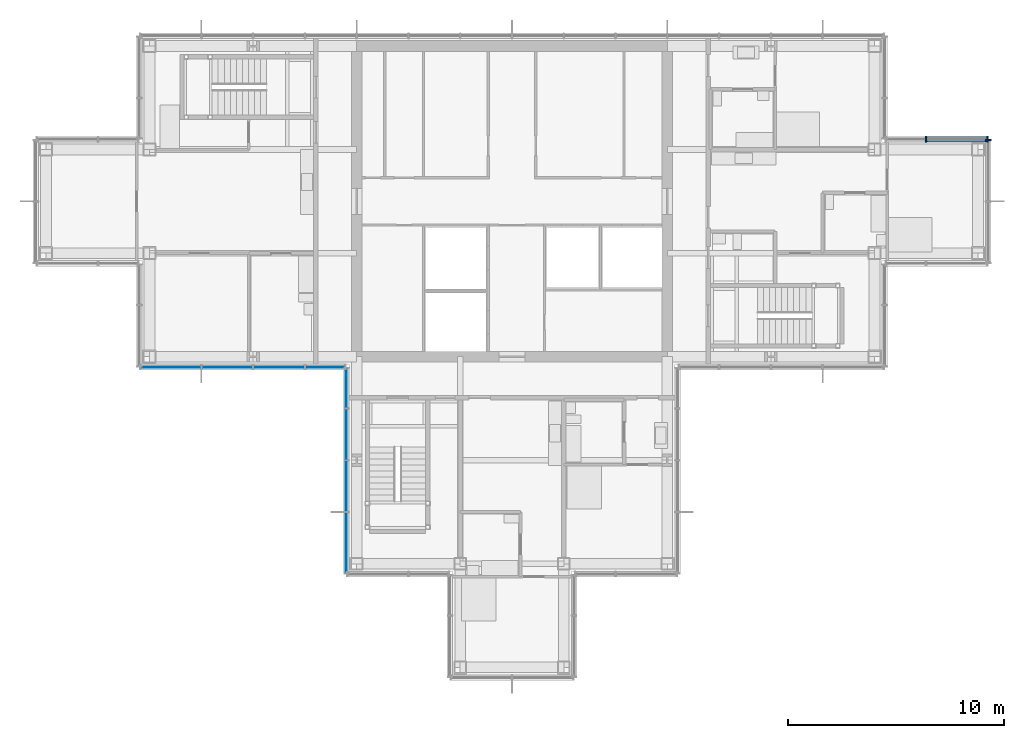
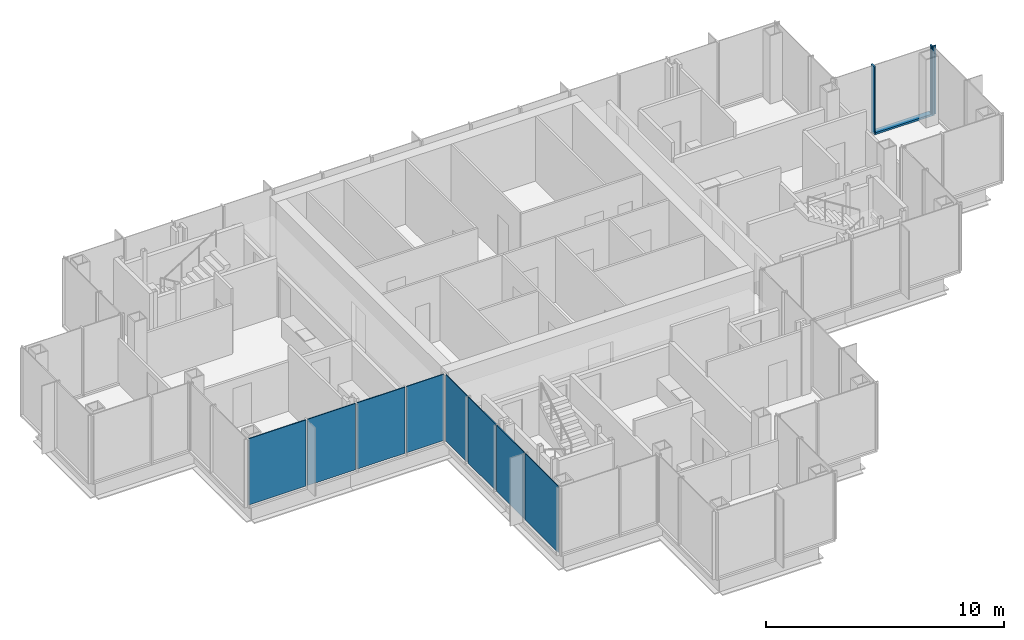
# One storey, part 8 of 15: 8 plates, 4 members, 4 elements without a shape of their own.
"""IFC4 building model written with IfcOpenShell, lengths in metres."""

from ifc_helpers import new_model, si_unit, direction, frame, origin, origin_2d, place, context, subcontext, project, spatial, rectangle, extrude, material, layer, layer_set, material_profile, profile_set, type_object, element, aggregate, save


model = new_model("IFC4")

# Units and contexts
model_context = context("Model", 3, precision=1e-05, world=origin(), true_north=direction((0.0, 1.0)))
body_context = subcontext(model_context, "Body", "Model", "MODEL_VIEW")
ifc_project = project(units=[si_unit("LENGTHUNIT", "METRE"), si_unit("AREAUNIT", "SQUARE_METRE"), si_unit("VOLUMEUNIT", "CUBIC_METRE"), si_unit("PLANEANGLEUNIT", "RADIAN"), si_unit("MASSUNIT", "GRAM", prefix="KILO")], contexts=[model_context])

# Site, building, storey
site_placement = place(None, origin())
site = spatial("IfcSite", under=ifc_project, at=site_placement, CompositionType="ELEMENT")
building_placement = place(site_placement, origin())
building = spatial("IfcBuilding", under=site, at=building_placement, Name="Kvirike Care Tower", CompositionType="ELEMENT")
storey_placement = place(building_placement, frame((0.0, 0.0, 219.0)))
storey = spatial("IfcBuildingStorey", under=building, at=storey_placement, Name="L60", CompositionType="ELEMENT", Elevation=219.0)

# Curtain wall, member
ifc_material_1 = material(Name="Anodised aluminium stick system", Category="aluminium")
curtain_wall_type = type_object("IfcCurtainWallType", Name="CW-D STICK CURTAIN WALL", PredefinedType="NOTDEFINED", material=ifc_material_1)
curtain_wall_1_placement = place(storey_placement, origin())
curtain_wall_1 = element("IfcCurtainWall", 1, at=curtain_wall_1_placement, inside=storey, type_object=curtain_wall_type, Name="Curtain wall L60 face 4", PredefinedType="NOTDEFINED")
ifc_material_2 = material(Name="Bronze anodised aluminium mullion", Category="aluminium")
ifc_material_profile_1 = material_profile(ifc_material_2, rectangle(XDim=0.06494140625, YDim=0.260009765625, at=origin_2d()), Name="CW-D MULLION 65x260")
ifc_profile_set_1 = profile_set([ifc_material_profile_1], Name="Bronze anodised aluminium mullion")
member_type_1 = type_object("IfcMemberType", Name="CW-D MULLION 65x260", PredefinedType="MULLION", material=ifc_profile_set_1)
member_1_placement = place(storey_placement, frame((43.679931640625, 38.847412109375, 0.0), z_axis=(0.0, 0.0, 1.0), x_axis=(0.0, 1.0, 0.0)))
member_1 = element("IfcMember", 2, at=member_1_placement, type_object=member_type_1, Name="CW-D mullion L60 face 4.3", PredefinedType="MULLION", context=body_context, shape_type="SweptSolid", body=[
    extrude(rectangle(XDim=0.06494140625, YDim=0.260009765625, at=origin_2d()), origin(), (0.0, 0.0, 1.0), 3.5),
])
aggregate(curtain_wall_1, [member_1])

# Curtain wall, members
curtain_wall_2_placement = place(storey_placement, origin())
curtain_wall_2 = element("IfcCurtainWall", 3, at=curtain_wall_2_placement, inside=storey, type_object=curtain_wall_type, Name="Curtain wall L60 face 5", PredefinedType="NOTDEFINED")
member_2_placement = place(storey_placement, frame((43.6474609375, 38.8798828125, 0.0), z_axis=(0.0, 0.0, 1.0), x_axis=(-1.0, 0.0, 0.0)))
member_2 = element("IfcMember", 4, at=member_2_placement, type_object=member_type_1, Name="CW-D mullion L60 face 5.1", PredefinedType="MULLION", context=body_context, shape_type="SweptSolid", body=[
    extrude(rectangle(XDim=0.06494140625, YDim=0.260009765625, at=origin_2d()), origin(), (0.0, 0.0, 1.0), 3.5),
])
member_3_placement = place(storey_placement, frame((40.800048828125, 38.8798828125, 0.0), z_axis=(0.0, 0.0, 1.0), x_axis=(-1.0, 0.0, 0.0)))
member_3 = element("IfcMember", 5, at=member_3_placement, type_object=member_type_1, Name="CW-D mullion L60 face 5.2", PredefinedType="MULLION", context=body_context, shape_type="SweptSolid", body=[
    extrude(rectangle(XDim=0.06494140625, YDim=0.260009765625, at=origin_2d()), origin(), (0.0, 0.0, 1.0), 3.5),
])
ifc_material_3 = material(Name="Bronze anodised aluminium transom", Category="aluminium")
ifc_material_profile_2 = material_profile(ifc_material_3, rectangle(XDim=0.260009765625, YDim=0.10009765625, at=origin_2d()), Name="CW-D TRANSOM 260x100")
ifc_profile_set_2 = profile_set([ifc_material_profile_2], Name="Bronze anodised aluminium transom")
member_type_2 = type_object("IfcMemberType", Name="CW-D TRANSOM 260x100", PredefinedType="USERDEFINED", material=ifc_profile_set_2)
member_4_placement = place(storey_placement, frame((43.614990234375, 38.8798828125, 0.050048828125), z_axis=(-1.0, 0.0, 0.0), x_axis=(0.0, -1.0, 0.0)))
member_4 = element("IfcMember", 6, at=member_4_placement, type_object=member_type_2, Name="CW-D sill transom L60 face 5.1", ObjectType="TRANSOM", PredefinedType="USERDEFINED", context=body_context, shape_type="SweptSolid", body=[
    extrude(rectangle(XDim=0.260009765625, YDim=0.10009765625, at=origin_2d()), origin(), (0.0, 0.0, 1.0), 2.782470703125),
])
aggregate(curtain_wall_2, [member_2, member_3, member_4])

# Curtain wall, plates
curtain_wall_3_placement = place(storey_placement, origin())
curtain_wall_3 = element("IfcCurtainWall", 7, at=curtain_wall_3_placement, inside=storey, type_object=curtain_wall_type, Name="Curtain wall L60 face 13", PredefinedType="NOTDEFINED")
ifc_material_4 = material(Name="Tinted double glazed unit", Category="glass")
ifc_layer = layer(ifc_material_4, 0.0439453125)
ifc_layer_set = layer_set([ifc_layer], Name="TINTED VISION PANEL 44")
plate_type = type_object("IfcPlateType", Name="TINTED VISION PANEL 44", PredefinedType="CURTAIN_PANEL", material=ifc_layer_set)
plate_1_placement = place(storey_placement, frame((5.7763671875, 28.320068359375, 0.10009765625), z_axis=(0.0, 0.0, 1.0), x_axis=(1.0, 0.0, 0.0)))
plate_1 = element("IfcPlate", 8, at=plate_1_placement, type_object=plate_type, Name="CW-D panel L60 face 13.1", PredefinedType="CURTAIN_PANEL", context=body_context, shape_type="SweptSolid", body=[
    extrude(rectangle(XDim=2.782470703125, YDim=0.0439453125, at=origin_2d()), origin(), (0.0, 0.0, 1.0), 3.39990234375),
])
plate_2_placement = place(storey_placement, frame((8.39990234375, 28.320068359375, 0.10009765625), z_axis=(0.0, 0.0, 1.0), x_axis=(1.0, 0.0, 0.0)))
plate_2 = element("IfcPlate", 9, at=plate_2_placement, type_object=plate_type, Name="CW-D panel L60 face 13.2", PredefinedType="CURTAIN_PANEL", context=body_context, shape_type="SweptSolid", body=[
    extrude(rectangle(XDim=2.3349609375, YDim=0.0439453125, at=origin_2d()), origin(), (0.0, 0.0, 1.0), 3.39990234375),
])
plate_3_placement = place(storey_placement, frame((10.800048828125, 28.320068359375, 0.10009765625), z_axis=(0.0, 0.0, 1.0), x_axis=(1.0, 0.0, 0.0)))
plate_3 = element("IfcPlate", 10, at=plate_3_placement, type_object=plate_type, Name="CW-D panel L60 face 13.3", PredefinedType="CURTAIN_PANEL", context=body_context, shape_type="SweptSolid", body=[
    extrude(rectangle(XDim=2.3349609375, YDim=0.0439453125, at=origin_2d()), origin(), (0.0, 0.0, 1.0), 3.39990234375),
])
plate_4_placement = place(storey_placement, frame((12.94384765625, 28.320068359375, 0.10009765625), z_axis=(0.0, 0.0, 1.0), x_axis=(1.0, 0.0, 0.0)))
plate_4 = element("IfcPlate", 11, at=plate_4_placement, type_object=plate_type, Name="CW-D panel L60 face 13.4", PredefinedType="CURTAIN_PANEL", context=body_context, shape_type="SweptSolid", body=[
    extrude(rectangle(XDim=1.822509765625, YDim=0.0439453125, at=origin_2d()), origin(), (0.0, 0.0, 1.0), 3.39990234375),
])
aggregate(curtain_wall_3, [plate_1, plate_2, plate_3, plate_4])

curtain_wall_4_placement = place(storey_placement, origin())
curtain_wall_4 = element("IfcCurtainWall", 12, at=curtain_wall_4_placement, inside=storey, type_object=curtain_wall_type, Name="Curtain wall L60 face 14", PredefinedType="NOTDEFINED")
plate_5_placement = place(storey_placement, frame((13.919921875, 27.34375, 0.10009765625), z_axis=(0.0, 0.0, 1.0), x_axis=(0.0, -1.0, 0.0)))
plate_5 = element("IfcPlate", 13, at=plate_5_placement, type_object=plate_type, Name="CW-D panel L60 face 14.1", PredefinedType="CURTAIN_PANEL", context=body_context, shape_type="SweptSolid", body=[
    extrude(rectangle(XDim=1.822509765625, YDim=0.0439453125, at=origin_2d()), origin(), (0.0, 0.0, 1.0), 3.39990234375),
])
plate_6_placement = place(storey_placement, frame((13.919921875, 25.199951171875, 0.10009765625), z_axis=(0.0, 0.0, 1.0), x_axis=(0.0, -1.0, 0.0)))
plate_6 = element("IfcPlate", 14, at=plate_6_placement, type_object=plate_type, Name="CW-D panel L60 face 14.2", PredefinedType="CURTAIN_PANEL", context=body_context, shape_type="SweptSolid", body=[
    extrude(rectangle(XDim=2.3349609375, YDim=0.0439453125, at=origin_2d()), origin(), (0.0, 0.0, 1.0), 3.39990234375),
])
plate_7_placement = place(storey_placement, frame((13.919921875, 22.800048828125, 0.10009765625), z_axis=(0.0, 0.0, 1.0), x_axis=(0.0, -1.0, 0.0)))
plate_7 = element("IfcPlate", 15, at=plate_7_placement, type_object=plate_type, Name="CW-D panel L60 face 14.3", PredefinedType="CURTAIN_PANEL", context=body_context, shape_type="SweptSolid", body=[
    extrude(rectangle(XDim=2.3349609375, YDim=0.0439453125, at=origin_2d()), origin(), (0.0, 0.0, 1.0), 3.39990234375),
])
plate_8_placement = place(storey_placement, frame((13.919921875, 20.17626953125, 0.10009765625), z_axis=(0.0, 0.0, 1.0), x_axis=(0.0, -1.0, 0.0)))
plate_8 = element("IfcPlate", 16, at=plate_8_placement, type_object=plate_type, Name="CW-D panel L60 face 14.4", PredefinedType="CURTAIN_PANEL", context=body_context, shape_type="SweptSolid", body=[
    extrude(rectangle(XDim=2.782470703125, YDim=0.0439453125, at=origin_2d()), origin(), (0.0, 0.0, 1.0), 3.39990234375),
])
aggregate(curtain_wall_4, [plate_5, plate_6, plate_7, plate_8])

save(model, "model.ifc")
